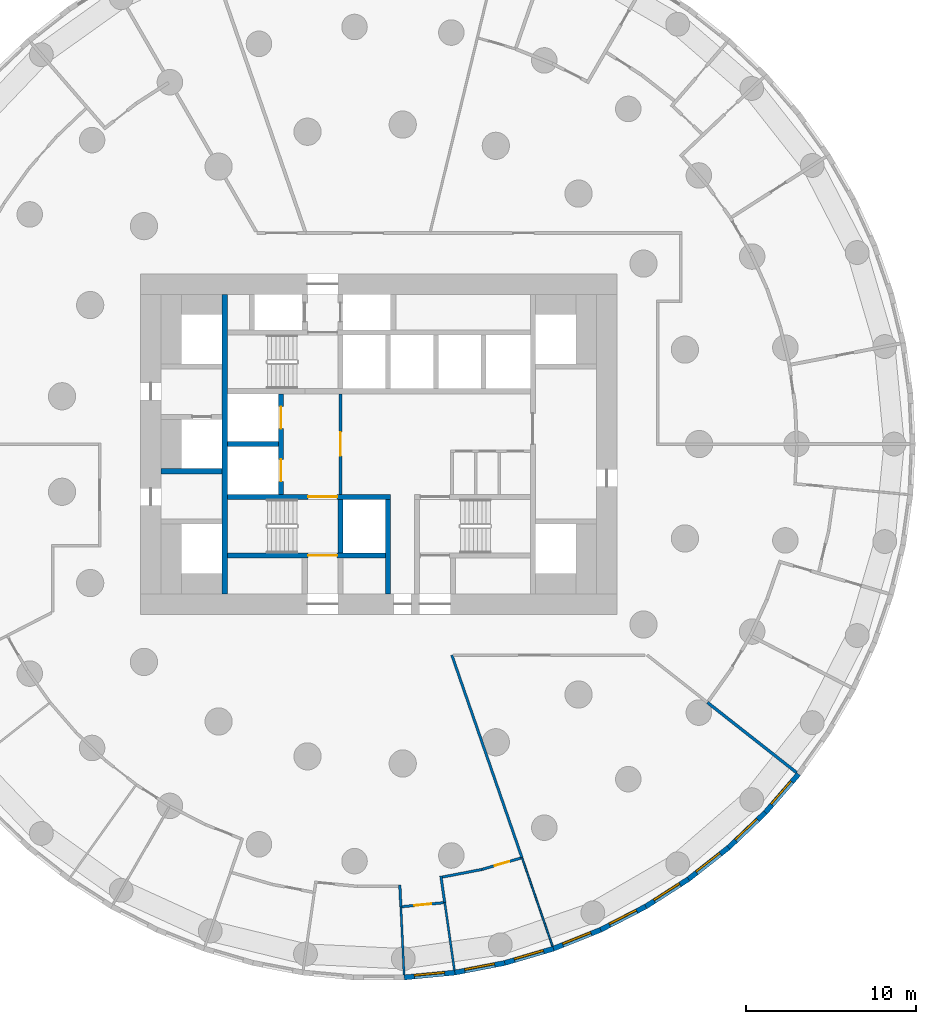
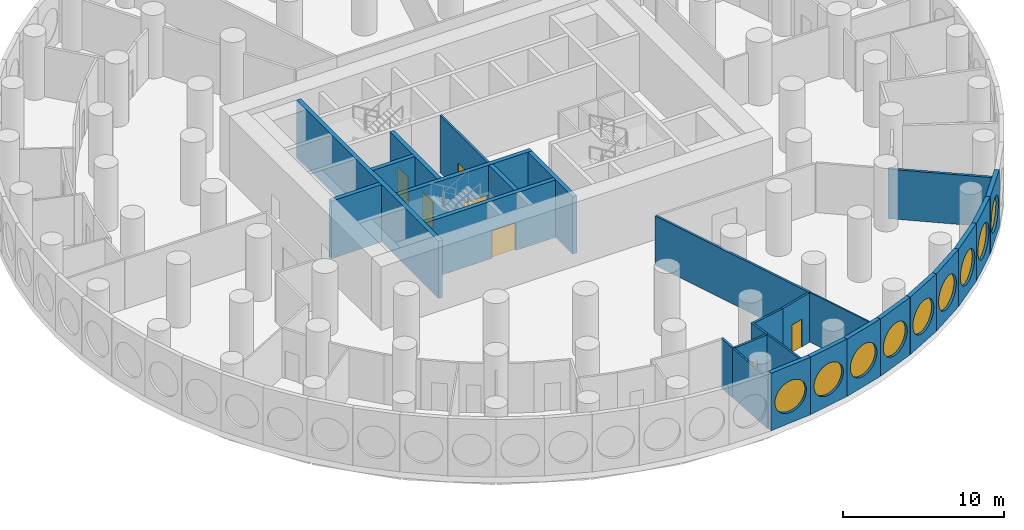
# One storey, part 4 of 12: 28 walls, 9 windows, 7 doors, 16 openings.
"""IFC4 building model written with IfcOpenShell, lengths in metres."""

from ifc_helpers import new_model, si_unit, direction, frame, frame_2d, origin, origin_2d, place, context, subcontext, project, spatial, rectangle, circle, extrude, material, layer, layer_set, type_object, element, fill, save


model = new_model("IFC4")

# Units and contexts
model_context = context("Model", 3, precision=1e-05, world=origin(), true_north=direction((0.0, 1.0)))
body_context = subcontext(model_context, "Body", "Model", "MODEL_VIEW")
ifc_project = project(units=[si_unit("LENGTHUNIT", "METRE"), si_unit("AREAUNIT", "SQUARE_METRE"), si_unit("VOLUMEUNIT", "CUBIC_METRE"), si_unit("PLANEANGLEUNIT", "RADIAN"), si_unit("MASSUNIT", "GRAM", prefix="KILO")], contexts=[model_context])

# Site, building, storey
site_placement = place(None, origin())
site = spatial("IfcSite", under=ifc_project, at=site_placement, CompositionType="ELEMENT")
building_placement = place(site_placement, origin())
building = spatial("IfcBuilding", under=site, at=building_placement, Name="Tracery Tower", CompositionType="ELEMENT")
storey_placement = place(building_placement, frame((0.0, 0.0, 13.800048828125)))
storey = spatial("IfcBuildingStorey", under=building, at=storey_placement, Name="L02", CompositionType="ELEMENT", Elevation=13.800048828125)

# Wall
ifc_material_1 = material(Name="Plasterboard on steel studs", Category="steel")
ifc_layer_1 = layer(ifc_material_1, 0.175048828125)
ifc_layer_set_1 = layer_set([ifc_layer_1], Name="Compartment partition 175")
wall_type_1 = type_object("IfcWallType", Name="Compartment partition 175", PredefinedType="PARTITIONING", material=ifc_layer_set_1)
wall_1_placement = place(storey_placement, frame((24.5439453125, -19.301513671875, 0.0), z_axis=(0.0, 0.0, 1.0), x_axis=(-0.786047220166, 0.618166456279, 0.0)))
element("IfcWall", 1, at=wall_1_placement, inside=storey, type_object=wall_type_1, Name="Compartment partition 175", PredefinedType="PARTITIONING", context=body_context, shape_type="SweptSolid", body=[
    extrude(rectangle(XDim=6.657470703125, YDim=0.175048828125, at=frame_2d((3.32861328125, 0.0))), origin(), (0.0, 0.0, 1.0), 3.75),
])

# Wall, opening, door
ifc_material_2 = material(Name="Plasterboard on steel studs", Category="steel")
ifc_layer_2 = layer(ifc_material_2, 0.14990234375)
ifc_layer_set_2 = layer_set([ifc_layer_2], Name="Core lobby partition 150")
wall_type_2 = type_object("IfcWallType", Name="Core lobby partition 150", PredefinedType="SOLIDWALL", material=ifc_layer_set_2)
wall_2_placement = place(storey_placement, frame((-2.25, -2.949951171875, 0.0), z_axis=(0.0, 0.0, 1.0), x_axis=(0.0, 1.0, 0.0)))
wall_2 = element("IfcWall", 2, at=wall_2_placement, inside=storey, type_object=wall_type_2, Name="L02 FF lobby E", PredefinedType="SOLIDWALL", context=body_context, shape_type="SweptSolid", body=[
    extrude(rectangle(XDim=5.89990234375, YDim=0.14990234375, at=frame_2d((2.949951171875, 0.0))), origin(), (0.0, 0.0, 1.0), 4.349853515625),
])
opening_1_placement = place(wall_2_placement, frame((2.25, 0.0, 0.0)))
opening_1 = element("IfcOpeningElement", 3, at=opening_1_placement, cuts=wall_2, Name="Opening KD8", PredefinedType="OPENING", context=body_context, shape_type="SweptSolid", body=[
    extrude(rectangle(XDim=1.39990234375, YDim=2.10009765625, at=frame_2d((0.699951171875, 1.050048828125))), frame((0.0, 0.074951171875, 0.0), z_axis=(0.0, -1.0, 0.0), x_axis=(1.0, 0.0, 0.0)), (0.0, 0.0, 1.0), 0.14990234375),
])
ifc_material_3 = material(Name="Steel fire door", Category="steel")
door_type_1 = type_object("IfcDoorType", Name="Core lobby door 1400 double", OperationType="NOTDEFINED", PredefinedType="DOOR", material=ifc_material_3)
door_1_placement = place(opening_1_placement, origin())
door_1 = element("IfcDoor", 4, at=door_1_placement, inside=storey, type_object=door_type_1, Name="Fire-fighting lobby door", OperationType="DOUBLE_DOOR_SINGLE_SWING", OverallHeight=2.10009765625, OverallWidth=1.39990234375, PredefinedType="DOOR", context=body_context, shape_type="SweptSolid", body=[
    extrude(rectangle(XDim=1.39990234375, YDim=2.10009765625, at=frame_2d((0.699951171875, 1.050048828125))), frame((0.0, 0.02490234375, 0.0), z_axis=(0.0, -1.0, 0.0), x_axis=(1.0, 0.0, 0.0)), (0.0, 0.0, 1.0), 0.050048828125),
])
fill(opening_1, door_1)

# Wall
ifc_material_4 = material(Name="Plasterboard on steel studs", Category="steel")
ifc_layer_3 = layer(ifc_material_4, 0.14990234375)
ifc_layer_set_3 = layer_set([ifc_layer_3], Name="Corridor partition 150")
wall_type_3 = type_object("IfcWallType", Name="Corridor partition 150", PredefinedType="PARTITIONING", material=ifc_layer_set_3)
wall_3_placement = place(storey_placement, frame((1.295166015625, -27.18896484375, 0.0), z_axis=(0.0, 0.0, 1.0), x_axis=(-0.047628765126, 0.998865106375, 0.0)))
element("IfcWall", 5, at=wall_3_placement, inside=storey, type_object=wall_type_3, Name="Corridor partition 150", PredefinedType="PARTITIONING", context=body_context, shape_type="SweptSolid", body=[
    extrude(rectangle(XDim=1.2763671875, YDim=0.14990234375, at=frame_2d((0.63818359375, 0.0))), origin(), (0.0, 0.0, 1.0), 3.75),
])

# Wall, opening, door
wall_4_placement = place(storey_placement, frame((3.799072265625, -26.94970703125, 0.0), z_axis=(0.0, 0.0, 1.0), x_axis=(-0.995463491179, -0.095144299509, 0.0)))
wall_4 = element("IfcWall", 6, at=wall_4_placement, inside=storey, type_object=wall_type_3, Name="Corridor partition 150", PredefinedType="PARTITIONING", context=body_context, shape_type="SweptSolid", body=[
    extrude(rectangle(XDim=2.440185546875, YDim=0.14990234375, at=frame_2d((1.22021484375, 0.0))), origin(), (0.0, 0.0, 1.0), 3.75),
])
opening_2_placement = place(wall_4_placement, frame((0.72021484375, 0.0, 0.0)))
opening_2 = element("IfcOpeningElement", 7, at=opening_2_placement, cuts=wall_4, Name="Opening SB-L02-28", PredefinedType="OPENING", context=body_context, shape_type="SweptSolid", body=[
    extrude(rectangle(XDim=1.0, YDim=2.10009765625, at=frame_2d((0.5, 1.050048828125))), frame((0.0, 0.074951171875, 0.0), z_axis=(0.0, -1.0, 0.0), x_axis=(1.0, 0.0, 0.0)), (0.0, 0.0, 1.0), 0.14990234375),
])
ifc_material_5 = material(Name="Timber door leaf", Category="wood")
door_type_2 = type_object("IfcDoorType", Name="Accessible toilet door 1000", OperationType="NOTDEFINED", PredefinedType="DOOR", material=ifc_material_5)
door_2_placement = place(opening_2_placement, origin())
door_2 = element("IfcDoor", 8, at=door_2_placement, inside=storey, type_object=door_type_2, Name="Accessible toilet door 1000", OperationType="SINGLE_SWING_RIGHT", OverallHeight=2.10009765625, OverallWidth=1.0, PredefinedType="DOOR", context=body_context, shape_type="SweptSolid", body=[
    extrude(rectangle(XDim=1.0, YDim=2.10009765625, at=frame_2d((0.5, 1.050048828125))), frame((0.0, 0.02490234375, 0.0), z_axis=(0.0, -1.0, 0.0), x_axis=(1.0, 0.0, 0.0)), (0.0, 0.0, 1.0), 0.050048828125),
])
fill(opening_2, door_2)

# Walls
wall_5_placement = place(storey_placement, frame((3.733642578125, -25.442138671875, 0.0), z_axis=(0.0, 0.0, 1.0), x_axis=(0.981930031272, 0.189244322732, 0.0)))
element("IfcWall", 9, at=wall_5_placement, inside=storey, type_object=wall_type_3, Name="Corridor partition 150", PredefinedType="PARTITIONING", context=body_context, shape_type="SweptSolid", body=[
    extrude(rectangle(XDim=2.37255859375, YDim=0.14990234375, at=frame_2d((1.186279296875, 0.0))), origin(), (0.0, 0.0, 1.0), 3.75),
])
wall_6_placement = place(storey_placement, frame((3.873779296875, -26.942626953125, 0.0), z_axis=(0.0, 0.0, 1.0), x_axis=(-0.142310157012, 0.989822114933, 0.0)))
element("IfcWall", 10, at=wall_6_placement, inside=storey, type_object=wall_type_3, Name="Corridor partition 150", PredefinedType="PARTITIONING", context=body_context, shape_type="SweptSolid", body=[
    extrude(rectangle(XDim=1.57666015625, YDim=0.14990234375, at=frame_2d((0.788330078125, 0.0))), origin(), (0.0, 0.0, 1.0), 3.75),
])

# Wall, opening, door
wall_7_placement = place(storey_placement, frame((8.339599609375, -24.32470703125, 0.0), z_axis=(0.0, 0.0, 1.0), x_axis=(-0.959486670527, -0.281754022298, 0.0)))
wall_7 = element("IfcWall", 11, at=wall_7_placement, inside=storey, type_object=wall_type_3, Name="Corridor partition 150", PredefinedType="PARTITIONING", context=body_context, shape_type="SweptSolid", body=[
    extrude(rectangle(XDim=2.37255859375, YDim=0.14990234375, at=frame_2d((1.186279296875, 0.0))), origin(), (0.0, 0.0, 1.0), 3.75),
])
opening_3_placement = place(wall_7_placement, frame((0.698486328125, 0.0, 0.0)))
opening_3 = element("IfcOpeningElement", 12, at=opening_3_placement, cuts=wall_7, Name="Opening SB-L02-29", PredefinedType="OPENING", context=body_context, shape_type="SweptSolid", body=[
    extrude(rectangle(XDim=0.89990234375, YDim=2.10009765625, at=frame_2d((0.449951171875, 1.050048828125))), frame((0.0, 0.074951171875, 0.0), z_axis=(0.0, -1.0, 0.0), x_axis=(1.0, 0.0, 0.0)), (0.0, 0.0, 1.0), 0.14990234375),
])
ifc_material_6 = material(Name="Steel fire door", Category="steel")
door_type_3 = type_object("IfcDoorType", Name="Store door 900", OperationType="NOTDEFINED", PredefinedType="DOOR", material=ifc_material_6)
door_3_placement = place(opening_3_placement, origin())
door_3 = element("IfcDoor", 13, at=door_3_placement, inside=storey, type_object=door_type_3, Name="Store door 900", OperationType="SINGLE_SWING_RIGHT", OverallHeight=2.10009765625, OverallWidth=0.89990234375, PredefinedType="DOOR", context=body_context, shape_type="SweptSolid", body=[
    extrude(rectangle(XDim=0.89990234375, YDim=2.10009765625, at=frame_2d((0.449951171875, 1.050048828125))), frame((0.0, 0.02490234375, 0.0), z_axis=(0.0, -1.0, 0.0), x_axis=(1.0, 0.0, 0.0)), (0.0, 0.0, 1.0), 0.050048828125),
])
fill(opening_3, door_3)

# Wall
wall_8_placement = place(storey_placement, frame((8.41162109375, -24.3037109375, 0.0), z_axis=(0.0, 0.0, 1.0), x_axis=(-0.327062634601, 0.945002662985, 0.0)))
element("IfcWall", 14, at=wall_8_placement, inside=storey, type_object=wall_type_3, Name="Corridor partition 150", PredefinedType="PARTITIONING", context=body_context, shape_type="SweptSolid", body=[
    extrude(rectangle(XDim=12.5966796875, YDim=0.14990234375, at=frame_2d((6.29833984375, 0.0))), origin(), (0.0, 0.0, 1.0), 3.75),
])

# Wall, opening, window
ifc_material_7 = material(Name="Precast concrete C50/60", Category="concrete")
ifc_layer_4 = layer(ifc_material_7, 0.300048828125)
ifc_layer_set_4 = layer_set([ifc_layer_4], Name="Facade panel 3000 x 4350")
wall_type_4 = type_object("IfcWallType", Name="Facade panel 3000 x 4350", PredefinedType="SOLIDWALL", material=ifc_layer_set_4)
wall_9_placement = place(storey_placement, frame((1.492919921875, -31.3388671875, 0.0), z_axis=(0.0, 0.0, 1.0), x_axis=(0.99547560533, 0.095017467833, 0.0)))
wall_9 = element("IfcWall", 15, at=wall_9_placement, inside=storey, type_object=wall_type_4, Name="Facade panel 51 at L02", PredefinedType="SOLIDWALL", context=body_context, shape_type="SweptSolid", body=[
    extrude(rectangle(XDim=2.985595703125, YDim=0.300048828125, at=frame_2d((1.49267578125, 0.0))), origin(), (0.0, 0.0, 1.0), 4.349853515625),
])
opening_4_placement = place(wall_9_placement, frame((1.492919921875, 0.0, 2.0)))
opening_4 = element("IfcOpeningElement", 16, at=opening_4_placement, cuts=wall_9, Name="Opening WN2", PredefinedType="OPENING", context=body_context, shape_type="SweptSolid", body=[
    extrude(circle(Radius=1.199951171875, at=origin_2d()), frame((0.0, 0.159912109375, 0.0), z_axis=(0.0, -1.0, 0.0), x_axis=(1.0, 0.0, 0.0)), (0.0, 0.0, 1.0), 0.320068359375),
])
ifc_material_8 = material(Name="Aluminium frame with tinted double glazing", Category="aluminium")
window_type = type_object("IfcWindowType", Name="Round window 2400", PartitioningType="SINGLE_PANEL", PredefinedType="WINDOW", material=ifc_material_8)
window_1_placement = place(opening_4_placement, origin())
window_1 = element("IfcWindow", 17, at=window_1_placement, inside=storey, type_object=window_type, Name="Round window 51 at L02", OverallHeight=2.39990234375, OverallWidth=2.39990234375, PartitioningType="SINGLE_PANEL", PredefinedType="WINDOW", context=body_context, shape_type="SweptSolid", body=[
    extrude(circle(Radius=1.199951171875, at=origin_2d()), frame((0.0, 0.1201171875, 0.0), z_axis=(0.0, -1.0, 0.0), x_axis=(1.0, 0.0, 0.0)), (0.0, 0.0, 1.0), 0.10009765625),
])
fill(opening_4, window_1)

wall_10_placement = place(storey_placement, frame((4.465087890625, -31.05517578125, 0.0), z_axis=(0.0, 0.0, 1.0), x_axis=(0.981918853666, 0.189302310646, 0.0)))
wall_10 = element("IfcWall", 18, at=wall_10_placement, inside=storey, type_object=wall_type_4, Name="Facade panel 52 at L02", PredefinedType="SOLIDWALL", context=body_context, shape_type="SweptSolid", body=[
    extrude(rectangle(XDim=2.985595703125, YDim=0.300048828125, at=frame_2d((1.49267578125, 0.0))), origin(), (0.0, 0.0, 1.0), 4.349853515625),
])
opening_5_placement = place(wall_10_placement, frame((1.492919921875, 0.0, 2.0)))
opening_5 = element("IfcOpeningElement", 19, at=opening_5_placement, cuts=wall_10, Name="Opening WN2", PredefinedType="OPENING", context=body_context, shape_type="SweptSolid", body=[
    extrude(circle(Radius=1.199951171875, at=origin_2d()), frame((0.0, 0.159912109375, 0.0), z_axis=(0.0, -1.0, 0.0), x_axis=(1.0, 0.0, 0.0)), (0.0, 0.0, 1.0), 0.320068359375),
])
window_2_placement = place(opening_5_placement, origin())
window_2 = element("IfcWindow", 20, at=window_2_placement, inside=storey, type_object=window_type, Name="Round window 52 at L02", OverallHeight=2.39990234375, OverallWidth=2.39990234375, PartitioningType="SINGLE_PANEL", PredefinedType="WINDOW", context=body_context, shape_type="SweptSolid", body=[
    extrude(circle(Radius=1.199951171875, at=origin_2d()), frame((0.0, 0.1201171875, 0.0), z_axis=(0.0, -1.0, 0.0), x_axis=(1.0, 0.0, 0.0)), (0.0, 0.0, 1.0), 0.10009765625),
])
fill(opening_5, window_2)

wall_11_placement = place(storey_placement, frame((7.396728515625, -30.489990234375, 0.0), z_axis=(0.0, 0.0, 1.0), x_axis=(0.959502108153, 0.281701445593, 0.0)))
wall_11 = element("IfcWall", 21, at=wall_11_placement, inside=storey, type_object=wall_type_4, Name="Facade panel 53 at L02", PredefinedType="SOLIDWALL", context=body_context, shape_type="SweptSolid", body=[
    extrude(rectangle(XDim=2.985595703125, YDim=0.300048828125, at=frame_2d((1.49267578125, 0.0))), origin(), (0.0, 0.0, 1.0), 4.349853515625),
])
opening_6_placement = place(wall_11_placement, frame((1.492919921875, 0.0, 2.0)))
opening_6 = element("IfcOpeningElement", 22, at=opening_6_placement, cuts=wall_11, Name="Opening WN2", PredefinedType="OPENING", context=body_context, shape_type="SweptSolid", body=[
    extrude(circle(Radius=1.199951171875, at=origin_2d()), frame((0.0, 0.159912109375, 0.0), z_axis=(0.0, -1.0, 0.0), x_axis=(1.0, 0.0, 0.0)), (0.0, 0.0, 1.0), 0.320068359375),
])
window_3_placement = place(opening_6_placement, origin())
window_3 = element("IfcWindow", 23, at=window_3_placement, inside=storey, type_object=window_type, Name="Round window 53 at L02", OverallHeight=2.39990234375, OverallWidth=2.39990234375, PartitioningType="SINGLE_PANEL", PredefinedType="WINDOW", context=body_context, shape_type="SweptSolid", body=[
    extrude(circle(Radius=1.199951171875, at=origin_2d()), frame((0.0, 0.1201171875, 0.0), z_axis=(0.0, -1.0, 0.0), x_axis=(1.0, 0.0, 0.0)), (0.0, 0.0, 1.0), 0.10009765625),
])
fill(opening_6, window_3)

wall_12_placement = place(storey_placement, frame((10.261474609375, -29.64892578125, 0.0), z_axis=(0.0, 0.0, 1.0), x_axis=(0.928380795373, 0.371630325434, 0.0)))
wall_12 = element("IfcWall", 24, at=wall_12_placement, inside=storey, type_object=wall_type_4, Name="Facade panel 54 at L02", PredefinedType="SOLIDWALL", context=body_context, shape_type="SweptSolid", body=[
    extrude(rectangle(XDim=2.98583984375, YDim=0.300048828125, at=frame_2d((1.492919921875, 0.0))), origin(), (0.0, 0.0, 1.0), 4.349853515625),
])
opening_7_placement = place(wall_12_placement, frame((1.492919921875, 0.0, 2.0)))
opening_7 = element("IfcOpeningElement", 25, at=opening_7_placement, cuts=wall_12, Name="Opening WN2", PredefinedType="OPENING", context=body_context, shape_type="SweptSolid", body=[
    extrude(circle(Radius=1.199951171875, at=origin_2d()), frame((0.0, 0.159912109375, 0.0), z_axis=(0.0, -1.0, 0.0), x_axis=(1.0, 0.0, 0.0)), (0.0, 0.0, 1.0), 0.320068359375),
])
window_4_placement = place(opening_7_placement, origin())
window_4 = element("IfcWindow", 26, at=window_4_placement, inside=storey, type_object=window_type, Name="Round window 54 at L02", OverallHeight=2.39990234375, OverallWidth=2.39990234375, PartitioningType="SINGLE_PANEL", PredefinedType="WINDOW", context=body_context, shape_type="SweptSolid", body=[
    extrude(circle(Radius=1.199951171875, at=origin_2d()), frame((0.0, 0.1201171875, 0.0), z_axis=(0.0, -1.0, 0.0), x_axis=(1.0, 0.0, 0.0)), (0.0, 0.0, 1.0), 0.10009765625),
])
fill(opening_7, window_4)

wall_13_placement = place(storey_placement, frame((13.033447265625, -28.539306640625, 0.0), z_axis=(0.0, 0.0, 1.0), x_axis=(0.888831268481, 0.458234630043, 0.0)))
wall_13 = element("IfcWall", 27, at=wall_13_placement, inside=storey, type_object=wall_type_4, Name="Facade panel 55 at L02", PredefinedType="SOLIDWALL", context=body_context, shape_type="SweptSolid", body=[
    extrude(rectangle(XDim=2.98583984375, YDim=0.300048828125, at=frame_2d((1.492919921875, 0.0))), origin(), (0.0, 0.0, 1.0), 4.349853515625),
])
opening_8_placement = place(wall_13_placement, frame((1.492919921875, 0.0, 2.0)))
opening_8 = element("IfcOpeningElement", 28, at=opening_8_placement, cuts=wall_13, Name="Opening WN2", PredefinedType="OPENING", context=body_context, shape_type="SweptSolid", body=[
    extrude(circle(Radius=1.199951171875, at=origin_2d()), frame((0.0, 0.159912109375, 0.0), z_axis=(0.0, -1.0, 0.0), x_axis=(1.0, 0.0, 0.0)), (0.0, 0.0, 1.0), 0.320068359375),
])
window_5_placement = place(opening_8_placement, origin())
window_5 = element("IfcWindow", 29, at=window_5_placement, inside=storey, type_object=window_type, Name="Round window 55 at L02", OverallHeight=2.39990234375, OverallWidth=2.39990234375, PartitioningType="SINGLE_PANEL", PredefinedType="WINDOW", context=body_context, shape_type="SweptSolid", body=[
    extrude(circle(Radius=1.199951171875, at=origin_2d()), frame((0.0, 0.1201171875, 0.0), z_axis=(0.0, -1.0, 0.0), x_axis=(1.0, 0.0, 0.0)), (0.0, 0.0, 1.0), 0.10009765625),
])
fill(opening_8, window_5)

wall_14_placement = place(storey_placement, frame((15.687255859375, -27.171142578125, 0.0), z_axis=(0.0, 0.0, 1.0), x_axis=(0.841242231846, 0.540658401727, 0.0)))
wall_14 = element("IfcWall", 30, at=wall_14_placement, inside=storey, type_object=wall_type_4, Name="Facade panel 56 at L02", PredefinedType="SOLIDWALL", context=body_context, shape_type="SweptSolid", body=[
    extrude(rectangle(XDim=2.98583984375, YDim=0.300048828125, at=frame_2d((1.492919921875, 0.0))), origin(), (0.0, 0.0, 1.0), 4.349853515625),
])
opening_9_placement = place(wall_14_placement, frame((1.492919921875, 0.0, 2.0)))
opening_9 = element("IfcOpeningElement", 31, at=opening_9_placement, cuts=wall_14, Name="Opening WN2", PredefinedType="OPENING", context=body_context, shape_type="SweptSolid", body=[
    extrude(circle(Radius=1.199951171875, at=origin_2d()), frame((0.0, 0.159912109375, 0.0), z_axis=(0.0, -1.0, 0.0), x_axis=(1.0, 0.0, 0.0)), (0.0, 0.0, 1.0), 0.320068359375),
])
window_6_placement = place(opening_9_placement, origin())
window_6 = element("IfcWindow", 32, at=window_6_placement, inside=storey, type_object=window_type, Name="Round window 56 at L02", OverallHeight=2.39990234375, OverallWidth=2.39990234375, PartitioningType="SINGLE_PANEL", PredefinedType="WINDOW", context=body_context, shape_type="SweptSolid", body=[
    extrude(circle(Radius=1.199951171875, at=origin_2d()), frame((0.0, 0.1201171875, 0.0), z_axis=(0.0, -1.0, 0.0), x_axis=(1.0, 0.0, 0.0)), (0.0, 0.0, 1.0), 0.10009765625),
])
fill(opening_9, window_6)

wall_15_placement = place(storey_placement, frame((18.198974609375, -25.556884765625, 0.0), z_axis=(0.0, 0.0, 1.0), x_axis=(0.786043032847, 0.618171780747, 0.0)))
wall_15 = element("IfcWall", 33, at=wall_15_placement, inside=storey, type_object=wall_type_4, Name="Facade panel 57 at L02", PredefinedType="SOLIDWALL", context=body_context, shape_type="SweptSolid", body=[
    extrude(rectangle(XDim=2.98583984375, YDim=0.300048828125, at=frame_2d((1.492919921875, 0.0))), origin(), (0.0, 0.0, 1.0), 4.349853515625),
])
opening_10_placement = place(wall_15_placement, frame((1.492919921875, 0.0, 2.0)))
opening_10 = element("IfcOpeningElement", 34, at=opening_10_placement, cuts=wall_15, Name="Opening WN2", PredefinedType="OPENING", context=body_context, shape_type="SweptSolid", body=[
    extrude(circle(Radius=1.199951171875, at=origin_2d()), frame((0.0, 0.159912109375, 0.0), z_axis=(0.0, -1.0, 0.0), x_axis=(1.0, 0.0, 0.0)), (0.0, 0.0, 1.0), 0.320068359375),
])
window_7_placement = place(opening_10_placement, origin())
window_7 = element("IfcWindow", 35, at=window_7_placement, inside=storey, type_object=window_type, Name="Round window 57 at L02", OverallHeight=2.39990234375, OverallWidth=2.39990234375, PartitioningType="SINGLE_PANEL", PredefinedType="WINDOW", context=body_context, shape_type="SweptSolid", body=[
    extrude(circle(Radius=1.199951171875, at=origin_2d()), frame((0.0, 0.1201171875, 0.0), z_axis=(0.0, -1.0, 0.0), x_axis=(1.0, 0.0, 0.0)), (0.0, 0.0, 1.0), 0.10009765625),
])
fill(opening_10, window_7)

wall_16_placement = place(storey_placement, frame((20.5458984375, -23.711181640625, 0.0), z_axis=(0.0, 0.0, 1.0), x_axis=(0.723750841228, 0.690061388444, 0.0)))
wall_16 = element("IfcWall", 36, at=wall_16_placement, inside=storey, type_object=wall_type_4, Name="Facade panel 58 at L02", PredefinedType="SOLIDWALL", context=body_context, shape_type="SweptSolid", body=[
    extrude(rectangle(XDim=2.985595703125, YDim=0.300048828125, at=frame_2d((1.49267578125, 0.0))), origin(), (0.0, 0.0, 1.0), 4.349853515625),
])
opening_11_placement = place(wall_16_placement, frame((1.492919921875, 0.0, 2.0)))
opening_11 = element("IfcOpeningElement", 37, at=opening_11_placement, cuts=wall_16, Name="Opening WN2", PredefinedType="OPENING", context=body_context, shape_type="SweptSolid", body=[
    extrude(circle(Radius=1.199951171875, at=origin_2d()), frame((0.0, 0.159912109375, 0.0), z_axis=(0.0, -1.0, 0.0), x_axis=(1.0, 0.0, 0.0)), (0.0, 0.0, 1.0), 0.320068359375),
])
window_8_placement = place(opening_11_placement, origin())
window_8 = element("IfcWindow", 38, at=window_8_placement, inside=storey, type_object=window_type, Name="Round window 58 at L02", OverallHeight=2.39990234375, OverallWidth=2.39990234375, PartitioningType="SINGLE_PANEL", PredefinedType="WINDOW", context=body_context, shape_type="SweptSolid", body=[
    extrude(circle(Radius=1.199951171875, at=origin_2d()), frame((0.0, 0.1201171875, 0.0), z_axis=(0.0, -1.0, 0.0), x_axis=(1.0, 0.0, 0.0)), (0.0, 0.0, 1.0), 0.10009765625),
])
fill(opening_11, window_8)

wall_17_placement = place(storey_placement, frame((22.706787109375, -21.65087890625, 0.0), z_axis=(0.0, 0.0, 1.0), x_axis=(0.654809121128, 0.755794294029, 0.0)))
wall_17 = element("IfcWall", 39, at=wall_17_placement, inside=storey, type_object=wall_type_4, Name="Facade panel 59 at L02", PredefinedType="SOLIDWALL", context=body_context, shape_type="SweptSolid", body=[
    extrude(rectangle(XDim=2.98583984375, YDim=0.300048828125, at=frame_2d((1.492919921875, 0.0))), origin(), (0.0, 0.0, 1.0), 4.349853515625),
])
opening_12_placement = place(wall_17_placement, frame((1.492919921875, 0.0, 2.0)))
opening_12 = element("IfcOpeningElement", 40, at=opening_12_placement, cuts=wall_17, Name="Opening WN2", PredefinedType="OPENING", context=body_context, shape_type="SweptSolid", body=[
    extrude(circle(Radius=1.199951171875, at=origin_2d()), frame((0.0, 0.159912109375, 0.0), z_axis=(0.0, -1.0, 0.0), x_axis=(1.0, 0.0, 0.0)), (0.0, 0.0, 1.0), 0.320068359375),
])
window_9_placement = place(opening_12_placement, origin())
window_9 = element("IfcWindow", 41, at=window_9_placement, inside=storey, type_object=window_type, Name="Round window 59 at L02", OverallHeight=2.39990234375, OverallWidth=2.39990234375, PartitioningType="SINGLE_PANEL", PredefinedType="WINDOW", context=body_context, shape_type="SweptSolid", body=[
    extrude(circle(Radius=1.199951171875, at=origin_2d()), frame((0.0, 0.1201171875, 0.0), z_axis=(0.0, -1.0, 0.0), x_axis=(1.0, 0.0, 0.0)), (0.0, 0.0, 1.0), 0.10009765625),
])
fill(opening_12, window_9)

# Wall
ifc_material_9 = material(Name="Concrete C60/75", Category="concrete")
ifc_layer_5 = layer(ifc_material_9, 0.300048828125)
ifc_layer_set_5 = layer_set([ifc_layer_5], Name="Shaft wall 300 C60")
wall_type_5 = type_object("IfcWallType", Name="Shaft wall 300 C60", PredefinedType="SOLIDWALL", material=ifc_layer_set_5)
wall_18_placement = place(storey_placement, frame((-8.89990234375, 0.0, 0.0), z_axis=(0.0, 0.0, 1.0), x_axis=(1.0, 0.0, 0.0)))
element("IfcWall", 42, at=wall_18_placement, inside=storey, type_object=wall_type_5, Name="L02 FF split", PredefinedType="SOLIDWALL", context=body_context, shape_type="SweptSolid", body=[
    extrude(rectangle(XDim=3.0, YDim=0.300048828125, at=frame_2d((1.5, 0.0))), origin(), (0.0, 0.0, 1.0), 4.349853515625),
])

# Wall, openings, doors
wall_19_placement = place(storey_placement, frame((-5.75, -2.949951171875, 0.0), z_axis=(0.0, 0.0, 1.0), x_axis=(0.0, 1.0, 0.0)))
wall_19 = element("IfcWall", 43, at=wall_19_placement, inside=storey, type_object=wall_type_5, Name="L02 FF doors", PredefinedType="SOLIDWALL", context=body_context, shape_type="SweptSolid", body=[
    extrude(rectangle(XDim=5.89990234375, YDim=0.300048828125, at=frame_2d((2.949951171875, 0.0))), origin(), (0.0, 0.0, 1.0), 4.349853515625),
])
opening_13_placement = place(wall_19_placement, frame((0.75, 0.0, 0.0)))
opening_13 = element("IfcOpeningElement", 44, at=opening_13_placement, cuts=wall_19, Name="Opening KD54", PredefinedType="OPENING", context=body_context, shape_type="SweptSolid", body=[
    extrude(rectangle(XDim=1.300048828125, YDim=2.10009765625, at=frame_2d((0.64990234375, 1.050048828125))), frame((0.0, 0.14990234375, 0.0), z_axis=(0.0, -1.0, 0.0), x_axis=(1.0, 0.0, 0.0)), (0.0, 0.0, 1.0), 0.300048828125),
])
opening_14_placement = place(wall_19_placement, frame((3.85009765625, 0.0, 0.0)))
opening_14 = element("IfcOpeningElement", 45, at=opening_14_placement, cuts=wall_19, Name="Opening KD55", PredefinedType="OPENING", context=body_context, shape_type="SweptSolid", body=[
    extrude(rectangle(XDim=1.300048828125, YDim=2.10009765625, at=frame_2d((0.64990234375, 1.050048828125))), frame((0.0, 0.14990234375, 0.0), z_axis=(0.0, -1.0, 0.0), x_axis=(1.0, 0.0, 0.0)), (0.0, 0.0, 1.0), 0.300048828125),
])
ifc_material_10 = material(Name="Steel fire door", Category="steel")
door_type_4 = type_object("IfcDoorType", Name="Landing door FF 1300", OperationType="NOTDEFINED", PredefinedType="DOOR", material=ifc_material_10)
door_4_placement = place(opening_13_placement, origin())
door_4 = element("IfcDoor", 46, at=door_4_placement, inside=storey, type_object=door_type_4, Name="Landing door FF1", OperationType="SLIDING_TO_LEFT", OverallHeight=2.10009765625, OverallWidth=1.300048828125, PredefinedType="DOOR", context=body_context, shape_type="SweptSolid", body=[
    extrude(rectangle(XDim=1.300048828125, YDim=2.10009765625, at=frame_2d((0.64990234375, 1.050048828125))), frame((0.0, 0.02490234375, 0.0), z_axis=(0.0, -1.0, 0.0), x_axis=(1.0, 0.0, 0.0)), (0.0, 0.0, 1.0), 0.050048828125),
])
fill(opening_13, door_4)
door_5_placement = place(opening_14_placement, origin())
door_5 = element("IfcDoor", 47, at=door_5_placement, inside=storey, type_object=door_type_4, Name="Landing door FF2", OperationType="SLIDING_TO_RIGHT", OverallHeight=2.10009765625, OverallWidth=1.300048828125, PredefinedType="DOOR", context=body_context, shape_type="SweptSolid", body=[
    extrude(rectangle(XDim=1.300048828125, YDim=2.10009765625, at=frame_2d((0.64990234375, 1.050048828125))), frame((0.0, 0.02490234375, 0.0), z_axis=(0.0, -1.0, 0.0), x_axis=(1.0, 0.0, 0.0)), (0.0, 0.0, 1.0), 0.050048828125),
])
fill(opening_14, door_5)

# Walls
wall_20_placement = place(storey_placement, frame((0.550048828125, -8.800048828125, 0.0), z_axis=(0.0, 0.0, 1.0), x_axis=(0.0, 1.0, 0.0)))
element("IfcWall", 48, at=wall_20_placement, inside=storey, type_object=wall_type_5, Name="L02 OB2 E", PredefinedType="SOLIDWALL", context=body_context, shape_type="SweptSolid", body=[
    extrude(rectangle(XDim=5.550048828125, YDim=0.300048828125, at=frame_2d((2.77490234375, 0.0))), origin(), (0.0, 0.0, 1.0), 4.349853515625),
])
wall_21_placement = place(storey_placement, frame((-12.800048828125, -1.60009765625, 0.0), z_axis=(0.0, 0.0, 1.0), x_axis=(1.0, 0.0, 0.0)))
element("IfcWall", 49, at=wall_21_placement, inside=storey, type_object=wall_type_5, Name="L02 wing shaft wall -1 -1.60", PredefinedType="SOLIDWALL", context=body_context, shape_type="SweptSolid", body=[
    extrude(rectangle(XDim=3.60009765625, YDim=0.300048828125, at=frame_2d((1.800048828125, 0.0))), origin(), (0.0, 0.0, 1.0), 4.349853515625),
])

# Wall, opening, door
ifc_material_11 = material(Name="Concrete C60/75", Category="concrete")
ifc_layer_6 = layer(ifc_material_11, 0.300048828125)
ifc_layer_set_6 = layer_set([ifc_layer_6], Name="Stair wall 300 C60")
wall_type_6 = type_object("IfcWallType", Name="Stair wall 300 C60", PredefinedType="SOLIDWALL", material=ifc_layer_set_6)
wall_22_placement = place(storey_placement, frame((-8.89990234375, -3.10009765625, 0.0), z_axis=(0.0, 0.0, 1.0), x_axis=(1.0, 0.0, 0.0)))
wall_22 = element("IfcWall", 50, at=wall_22_placement, inside=storey, type_object=wall_type_6, Name="L02 row S", PredefinedType="SOLIDWALL", context=body_context, shape_type="SweptSolid", body=[
    extrude(rectangle(XDim=9.599853515625, YDim=0.300048828125, at=frame_2d((4.7998046875, 0.0))), origin(), (0.0, 0.0, 1.0), 4.349853515625),
])
opening_15_placement = place(wall_22_placement, frame((4.75, 0.0, 0.0)))
opening_15 = element("IfcOpeningElement", 51, at=opening_15_placement, cuts=wall_22, Name="Opening KD3", PredefinedType="OPENING", context=body_context, shape_type="SweptSolid", body=[
    extrude(rectangle(XDim=1.699951171875, YDim=2.10009765625, at=frame_2d((0.85009765625, 1.050048828125))), frame((0.0, 0.14990234375, 0.0), z_axis=(0.0, -1.0, 0.0), x_axis=(1.0, 0.0, 0.0)), (0.0, 0.0, 1.0), 0.300048828125),
])
ifc_material_12 = material(Name="Steel fire door", Category="steel")
door_type_5 = type_object("IfcDoorType", Name="Core stair door 1700 double", OperationType="NOTDEFINED", PredefinedType="DOOR", material=ifc_material_12)
door_6_placement = place(opening_15_placement, origin())
door_6 = element("IfcDoor", 52, at=door_6_placement, inside=storey, type_object=door_type_5, Name="Stair door ST1", OperationType="DOUBLE_DOOR_SINGLE_SWING", OverallHeight=2.10009765625, OverallWidth=1.699951171875, PredefinedType="DOOR", context=body_context, shape_type="SweptSolid", body=[
    extrude(rectangle(XDim=1.699951171875, YDim=2.10009765625, at=frame_2d((0.85009765625, 1.050048828125))), frame((0.0, 0.02490234375, 0.0), z_axis=(0.0, -1.0, 0.0), x_axis=(1.0, 0.0, 0.0)), (0.0, 0.0, 1.0), 0.050048828125),
])
fill(opening_15, door_6)

# Walls
wall_23_placement = place(storey_placement, frame((-2.25, -6.39990234375, 0.0), z_axis=(0.0, 0.0, 1.0), x_axis=(0.0, 1.0, 0.0)))
element("IfcWall", 53, at=wall_23_placement, inside=storey, type_object=wall_type_6, Name="L02 ST1 E", PredefinedType="SOLIDWALL", context=body_context, shape_type="SweptSolid", body=[
    extrude(rectangle(XDim=3.14990234375, YDim=0.300048828125, at=frame_2d((1.574951171875, 0.0))), origin(), (0.0, 0.0, 1.0), 4.349853515625),
])
wall_24_placement = place(storey_placement, frame((-9.050048828125, -8.800048828125, 0.0), z_axis=(0.0, 0.0, 1.0), x_axis=(0.0, 1.0, 0.0)))
element("IfcWall", 54, at=wall_24_placement, inside=storey, type_object=wall_type_6, Name="L02 F wall -9", PredefinedType="SOLIDWALL", context=body_context, shape_type="SweptSolid", body=[
    extrude(rectangle(XDim=17.60009765625, YDim=0.300048828125, at=frame_2d((8.800048828125, 0.0))), origin(), (0.0, 0.0, 1.0), 4.349853515625),
])

# Wall, opening, door
wall_25_placement = place(storey_placement, frame((-8.89990234375, -6.550048828125, 0.0), z_axis=(0.0, 0.0, 1.0), x_axis=(1.0, 0.0, 0.0)))
wall_25 = element("IfcWall", 55, at=wall_25_placement, inside=storey, type_object=wall_type_6, Name="L02 F S W", PredefinedType="SOLIDWALL", context=body_context, shape_type="SweptSolid", body=[
    extrude(rectangle(XDim=9.2998046875, YDim=0.300048828125, at=frame_2d((4.64990234375, 0.0))), origin(), (0.0, 0.0, 1.0), 4.349853515625),
])
opening_16_placement = place(wall_25_placement, frame((4.75, 0.0, 0.0)))
opening_16 = element("IfcOpeningElement", 56, at=opening_16_placement, cuts=wall_25, Name="Opening KD3", PredefinedType="OPENING", context=body_context, shape_type="SweptSolid", body=[
    extrude(rectangle(XDim=1.699951171875, YDim=2.10009765625, at=frame_2d((0.85009765625, 1.050048828125))), frame((0.0, 0.14990234375, 0.0), z_axis=(0.0, -1.0, 0.0), x_axis=(1.0, 0.0, 0.0)), (0.0, 0.0, 1.0), 0.300048828125),
])
door_7_placement = place(opening_16_placement, origin())
door_7 = element("IfcDoor", 57, at=door_7_placement, inside=storey, type_object=door_type_5, Name="Stair door ST1 S", OperationType="DOUBLE_DOOR_SINGLE_SWING", OverallHeight=2.10009765625, OverallWidth=1.699951171875, PredefinedType="DOOR", context=body_context, shape_type="SweptSolid", body=[
    extrude(rectangle(XDim=1.699951171875, YDim=2.10009765625, at=frame_2d((0.85009765625, 1.050048828125))), frame((0.0, 0.02490234375, 0.0), z_axis=(0.0, -1.0, 0.0), x_axis=(1.0, 0.0, 0.0)), (0.0, 0.0, 1.0), 0.050048828125),
])
fill(opening_16, door_7)

# Walls
ifc_material_13 = material(Name="Plasterboard on steel studs", Category="steel")
ifc_layer_7 = layer(ifc_material_13, 0.10009765625)
ifc_layer_set_7 = layer_set([ifc_layer_7], Name="Stud partition 100")
wall_type_7 = type_object("IfcWallType", Name="Stud partition 100", PredefinedType="PARTITIONING", material=ifc_layer_set_7)
wall_26_placement = place(storey_placement, frame((10.21240234375, -29.507080078125, 0.0), z_axis=(0.0, 0.0, 1.0), x_axis=(-0.327048124724, 0.945007684685, 0.0)))
element("IfcWall", 58, at=wall_26_placement, inside=storey, type_object=wall_type_7, Name="Stud partition 100", PredefinedType="PARTITIONING", context=body_context, shape_type="SweptSolid", body=[
    extrude(rectangle(XDim=5.506103515625, YDim=0.10009765625, at=frame_2d((2.7529296875, 0.0))), origin(), (0.0, 0.0, 1.0), 3.75),
])
ifc_material_14 = material(Name="Plasterboard on steel studs", Category="steel")
ifc_layer_8 = layer(ifc_material_14, 0.125)
ifc_layer_set_8 = layer_set([ifc_layer_8], Name="Wet area partition 125")
wall_type_8 = type_object("IfcWallType", Name="Wet area partition 125", PredefinedType="PARTITIONING", material=ifc_layer_set_8)
for number, where, z_axis, x_axis, name in (
    (59, (1.485595703125, -31.18896484375, 0.0), (0.0, 0.0, 1.0), (-0.047553563093, 0.998868689387, 0.0), "Wet area partition 125"),
    (60, (4.443603515625, -30.906494140625, 0.0), (0.0, 0.0, 1.0), (-0.142291879115, 0.989824742638, 0.0), "Wet area partition 125"),
):
    element("IfcWall", number, at=place(storey_placement, frame(where, z_axis=z_axis, x_axis=x_axis)), inside=storey, type_object=wall_type_8, Name=name, PredefinedType="PARTITIONING", context=body_context, shape_type="SweptSolid", body=[
        extrude(rectangle(XDim=4.004638671875, YDim=0.125, at=frame_2d((2.00244140625, 0.0))), origin(), (0.0, 0.0, 1.0), 3.75),
    ])

save(model, "model.ifc")
